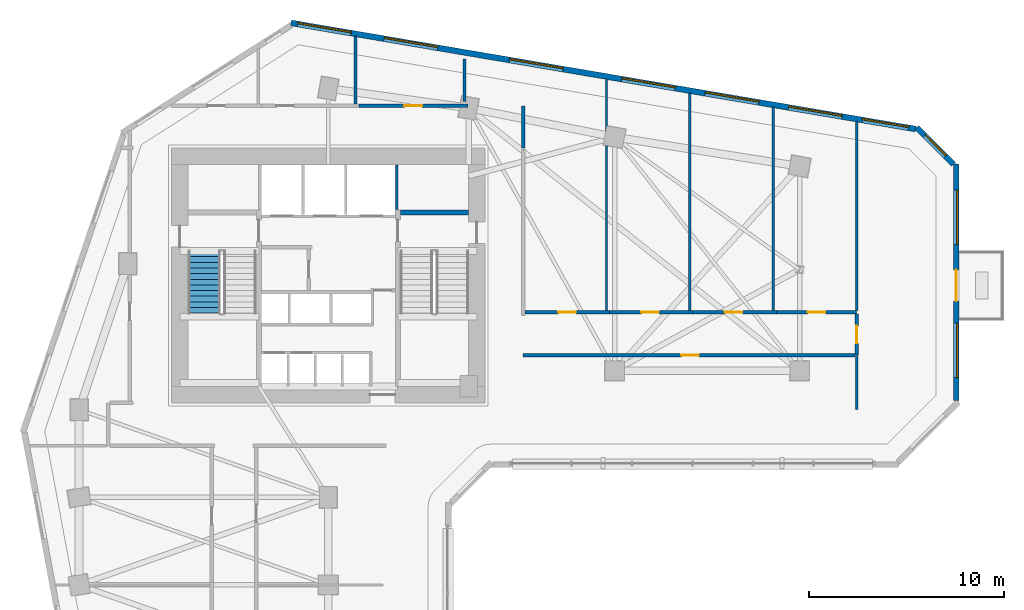
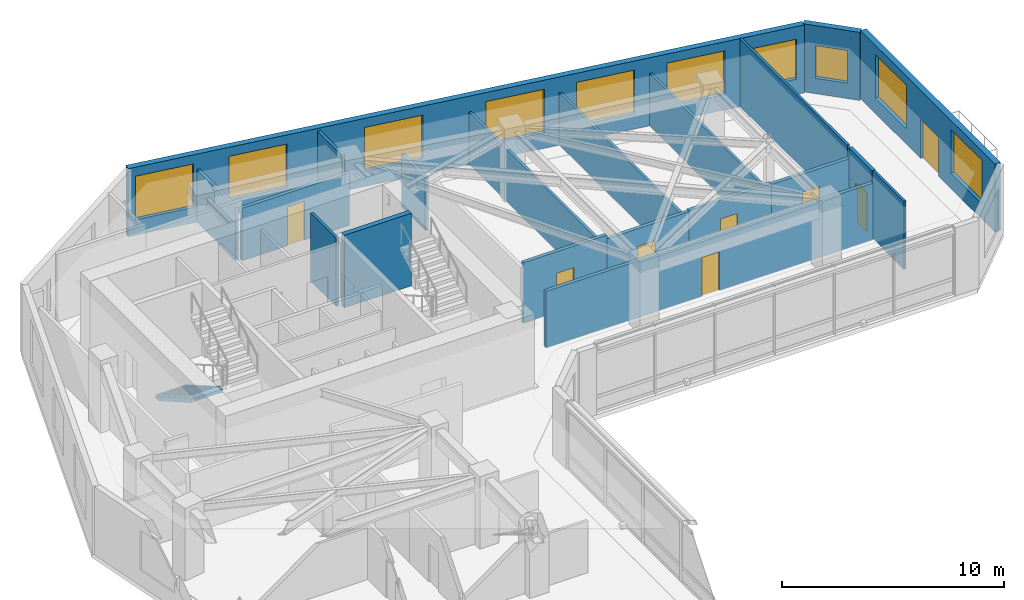
# One storey, part 7 of 11: 20 walls, 10 windows, 8 doors, 1 stair flight, 18 openings, 1 element without a shape of its own.
"""IFC4 building model written with IfcOpenShell, lengths in metres."""

from ifc_helpers import new_model, si_unit, direction, frame, frame_2d, origin, place, context, subcontext, project, spatial, polyline, rectangle, outline, extrude, source, transform, mapped, material, layer, layer_set, type_object, element, fill, aggregate, save


model = new_model("IFC4")

# Units and contexts
model_context = context("Model", 3, precision=1e-05, world=origin(), true_north=direction((0.0, 1.0)))
body_context = subcontext(model_context, "Body", "Model", "MODEL_VIEW")
ifc_project = project(units=[si_unit("LENGTHUNIT", "METRE"), si_unit("AREAUNIT", "SQUARE_METRE"), si_unit("VOLUMEUNIT", "CUBIC_METRE"), si_unit("PLANEANGLEUNIT", "RADIAN"), si_unit("MASSUNIT", "GRAM", prefix="KILO")], contexts=[model_context])

# Site, building, storey
site_placement = place(None, origin())
site = spatial("IfcSite", under=ifc_project, at=site_placement, CompositionType="ELEMENT")
building_placement = place(site_placement, origin())
building = spatial("IfcBuilding", under=site, at=building_placement, Name="Calvemar Wedge Station Tower", CompositionType="ELEMENT")
storey_placement = place(building_placement, frame((0.0, 0.0, 75.0)))
storey = spatial("IfcBuildingStorey", under=building, at=storey_placement, Name="L18", CompositionType="ELEMENT", Elevation=75.0)

# Wall
ifc_material_1 = material(Name="Concrete C50", Category="concrete")
ifc_layer_1 = layer(ifc_material_1, 0.260009765625)
ifc_layer_set_1 = layer_set([ifc_layer_1], Name="Concrete C50")
wall_type_1 = type_object("IfcWallType", Name="SW-CORE-260", PredefinedType="SHEAR", material=ifc_layer_set_1)
wall_1_placement = place(storey_placement, frame((27.5, 43.1298828125, 0.0), z_axis=(0.0, 0.0, 1.0), x_axis=(1.0, 0.0, 0.0)))
element("IfcWall", 1, at=wall_1_placement, inside=storey, type_object=wall_type_1, Name="Storey L18 Core Shear Wall STC2-N", PredefinedType="SHEAR", context=body_context, shape_type="SweptSolid", body=[
    extrude(rectangle(XDim=3.5, YDim=0.260009765625, at=frame_2d((1.75, 0.0))), origin(), (0.0, 0.0, 1.0), 4.0),
])

# Wall, opening, door
ifc_material_2 = material(Name="Double-stud fire-rated corridor partition")
ifc_layer_2 = layer(ifc_material_2, 0.179931640625)
ifc_layer_set_2 = layer_set([ifc_layer_2], Name="Double-stud fire-rated corridor partition")
wall_type_2 = type_object("IfcWallType", Name="W-CORR-180", PredefinedType="PARTITIONING", material=ifc_layer_set_2)
wall_2_placement = place(storey_placement, frame((25.362060546875, 48.60009765625, 0.0), z_axis=(0.0, 0.0, 1.0), x_axis=(1.0, 0.0, 0.0)))
wall_2 = element("IfcWall", 2, at=wall_2_placement, inside=storey, type_object=wall_type_2, Name="Storey L18 Interior Partition WL-L18-012", PredefinedType="PARTITIONING", context=body_context, shape_type="SweptSolid", body=[
    extrude(rectangle(XDim=5.597900390625, YDim=0.179931640625, at=frame_2d((2.798828125, 0.0))), origin(), (0.0, 0.0, 1.0), 2.89208984375),
])
shared_shape_1 = source(origin(), body_context, "Body", "SweptSolid", [
    extrude(rectangle(XDim=0.89990234375, YDim=2.14990234375, at=frame_2d((0.449951171875, 1.074951171875))), frame((0.0, 0.10009765625, 0.0), z_axis=(0.0, -1.0, 0.0), x_axis=(1.0, 0.0, 0.0)), (0.0, 0.0, 1.0), 0.199951171875),
])
opening_1_placement = place(wall_2_placement, frame((2.34912109375, 0.0, 0.0)))
opening_1 = element("IfcOpeningElement", 3, at=opening_1_placement, cuts=wall_2, Name="Opening D-01", PredefinedType="OPENING", context=body_context, shape_type="MappedRepresentation", body=[
    mapped(shared_shape_1, transform((0.0, 0.0, 0.0), scale=1.0)),
])
ifc_material_3 = material(Name="Architectural hardwood acoustic swing door", Category="wood")
door_type_1 = type_object("IfcDoorType", Name="DR-INT-900", OperationType="NOTDEFINED", PredefinedType="DOOR", material=ifc_material_3)
shared_shape_2 = source(origin(), body_context, "Body", "SweptSolid", [
    extrude(rectangle(XDim=0.89990234375, YDim=2.14990234375, at=frame_2d((0.449951171875, 1.074951171875))), frame((0.0, 0.02490234375, 0.0), z_axis=(0.0, -1.0, 0.0), x_axis=(1.0, 0.0, 0.0)), (0.0, 0.0, 1.0), 0.050048828125),
])
door_1_placement = place(opening_1_placement, origin())
door_1 = element("IfcDoor", 4, at=door_1_placement, inside=storey, type_object=door_type_1, Name="L18 Female Toilet Door", OperationType="SINGLE_SWING_LEFT", OverallHeight=2.14990234375, OverallWidth=0.89990234375, PredefinedType="DOOR", context=body_context, shape_type="MappedRepresentation", body=[
    mapped(shared_shape_2, transform((0.0, 0.0, 0.0), scale=1.0)),
])
fill(opening_1, door_1)

# Wall
wall_3_placement = place(storey_placement, frame((33.800048828125, 48.60009765625, 0.0), z_axis=(0.0, 0.0, 1.0), x_axis=(0.0, -1.0, 0.0)))
element("IfcWall", 5, at=wall_3_placement, inside=storey, type_object=wall_type_2, Name="Storey L18 Interior Partition WL-L18-013", PredefinedType="PARTITIONING", context=body_context, shape_type="SweptSolid", body=[
    extrude(rectangle(XDim=2.150146484375, YDim=0.179931640625, at=frame_2d((1.0751953125, 0.0))), origin(), (0.0, 0.0, 1.0), 2.89208984375),
])

# Wall, opening, door
wall_4_placement = place(storey_placement, frame((33.89404296875, 38.0, 0.0), z_axis=(0.0, 0.0, 1.0), x_axis=(1.0, 0.0, 0.0)))
wall_4 = element("IfcWall", 6, at=wall_4_placement, inside=storey, type_object=wall_type_2, Name="Storey L18 Interior Partition WL-L18-018", PredefinedType="PARTITIONING", context=body_context, shape_type="SweptSolid", body=[
    extrude(rectangle(XDim=4.349853515625, YDim=0.179931640625, at=frame_2d((2.1748046875, 0.0))), origin(), (0.0, 0.0, 1.0), 3.3349609375),
])
opening_2_placement = place(wall_4_placement, frame((1.72509765625, 0.0, 0.0)))
opening_2 = element("IfcOpeningElement", 7, at=opening_2_placement, cuts=wall_4, Name="Opening D-01", PredefinedType="OPENING", context=body_context, shape_type="MappedRepresentation", body=[
    mapped(shared_shape_1, transform((0.0, 0.0, 0.0), scale=1.0)),
])
door_2_placement = place(opening_2_placement, origin())
door_2 = element("IfcDoor", 8, at=door_2_placement, inside=storey, type_object=door_type_1, Name="L18 Co-Working Studio Door", OperationType="SINGLE_SWING_RIGHT", OverallHeight=2.14990234375, OverallWidth=0.89990234375, PredefinedType="DOOR", context=body_context, shape_type="MappedRepresentation", body=[
    mapped(shared_shape_2, transform((0.0, 0.0, 0.0), scale=1.0)),
])
fill(opening_2, door_2)

wall_5_placement = place(storey_placement, frame((38.24609375, 38.0, 0.0), z_axis=(0.0, 0.0, 1.0), x_axis=(1.0, 0.0, 0.0)))
wall_5 = element("IfcWall", 9, at=wall_5_placement, inside=storey, type_object=wall_type_2, Name="Storey L18 Interior Partition WL-L18-019", PredefinedType="PARTITIONING", context=body_context, shape_type="SweptSolid", body=[
    extrude(rectangle(XDim=4.281005859375, YDim=0.179931640625, at=frame_2d((2.140625, 0.0))), origin(), (0.0, 0.0, 1.0), 3.125),
])
opening_3_placement = place(wall_5_placement, frame((1.629150390625, 0.0, 0.0)))
opening_3 = element("IfcOpeningElement", 10, at=opening_3_placement, cuts=wall_5, Name="Opening D-01", PredefinedType="OPENING", context=body_context, shape_type="MappedRepresentation", body=[
    mapped(shared_shape_1, transform((0.0, 0.0, 0.0), scale=1.0)),
])
door_3_placement = place(opening_3_placement, origin())
door_3 = element("IfcDoor", 11, at=door_3_placement, inside=storey, type_object=door_type_1, Name="L18 Co-Working Studio Door", OperationType="SINGLE_SWING_LEFT", OverallHeight=2.14990234375, OverallWidth=0.89990234375, PredefinedType="DOOR", context=body_context, shape_type="MappedRepresentation", body=[
    mapped(shared_shape_2, transform((0.0, 0.0, 0.0), scale=1.0)),
])
fill(opening_3, door_3)

wall_6_placement = place(storey_placement, frame((42.529052734375, 38.0, 0.0), z_axis=(0.0, 0.0, 1.0), x_axis=(1.0, 0.0, 0.0)))
wall_6 = element("IfcWall", 12, at=wall_6_placement, inside=storey, type_object=wall_type_2, Name="Storey L18 Interior Partition WL-L18-020", PredefinedType="PARTITIONING", context=body_context, shape_type="SweptSolid", body=[
    extrude(rectangle(XDim=4.281982421875, YDim=0.179931640625, at=frame_2d((2.14111328125, 0.0))), origin(), (0.0, 0.0, 1.0), 3.18798828125),
])
opening_4_placement = place(wall_6_placement, frame((1.629638671875, 0.0, 0.0)))
opening_4 = element("IfcOpeningElement", 13, at=opening_4_placement, cuts=wall_6, Name="Opening D-01", PredefinedType="OPENING", context=body_context, shape_type="MappedRepresentation", body=[
    mapped(shared_shape_1, transform((0.0, 0.0, 0.0), scale=1.0)),
])
door_4_placement = place(opening_4_placement, origin())
door_4 = element("IfcDoor", 14, at=door_4_placement, inside=storey, type_object=door_type_1, Name="L18 Co-Working Studio Door", OperationType="SINGLE_SWING_RIGHT", OverallHeight=2.14990234375, OverallWidth=0.89990234375, PredefinedType="DOOR", context=body_context, shape_type="MappedRepresentation", body=[
    mapped(shared_shape_2, transform((0.0, 0.0, 0.0), scale=1.0)),
])
fill(opening_4, door_4)

wall_7_placement = place(storey_placement, frame((46.81298828125, 38.0, 0.0), z_axis=(0.0, 0.0, 1.0), x_axis=(1.0, 0.0, 0.0)))
wall_7 = element("IfcWall", 15, at=wall_7_placement, inside=storey, type_object=wall_type_2, Name="Storey L18 Interior Partition WL-L18-021", PredefinedType="PARTITIONING", context=body_context, shape_type="SweptSolid", body=[
    extrude(rectangle(XDim=4.1220703125, YDim=0.179931640625, at=frame_2d((2.06103515625, 0.0))), origin(), (0.0, 0.0, 1.0), 3.125),
])
opening_5_placement = place(wall_7_placement, frame((1.611083984375, 0.0, 0.0)))
opening_5 = element("IfcOpeningElement", 16, at=opening_5_placement, cuts=wall_7, Name="Opening D-01", PredefinedType="OPENING", context=body_context, shape_type="MappedRepresentation", body=[
    mapped(shared_shape_1, transform((0.0, 0.0, 0.0), scale=1.0)),
])
door_5_placement = place(opening_5_placement, origin())
door_5 = element("IfcDoor", 17, at=door_5_placement, inside=storey, type_object=door_type_1, Name="L18 Meeting Room Door", OperationType="SINGLE_SWING_LEFT", OverallHeight=2.14990234375, OverallWidth=0.89990234375, PredefinedType="DOOR", context=body_context, shape_type="MappedRepresentation", body=[
    mapped(shared_shape_2, transform((0.0, 0.0, 0.0), scale=1.0)),
])
fill(opening_5, door_5)

wall_8_placement = place(storey_placement, frame((50.93505859375, 37.906005859375, 0.0), z_axis=(0.0, 0.0, 1.0), x_axis=(0.0, -1.0, 0.0)))
wall_8 = element("IfcWall", 18, at=wall_8_placement, inside=storey, type_object=wall_type_2, Name="Storey L18 Interior Partition WL-L18-022", PredefinedType="PARTITIONING", context=body_context, shape_type="SweptSolid", body=[
    extrude(rectangle(XDim=2.10595703125, YDim=0.179931640625, at=frame_2d((1.052978515625, 0.0))), origin(), (0.0, 0.0, 1.0), 3.75),
])
opening_6_placement = place(wall_8_placement, frame((0.60302734375, 0.0, 0.0)))
opening_6 = element("IfcOpeningElement", 19, at=opening_6_placement, cuts=wall_8, Name="Opening D-01", PredefinedType="OPENING", context=body_context, shape_type="MappedRepresentation", body=[
    mapped(shared_shape_1, transform((0.0, 0.0, 0.0), scale=1.0)),
])
door_6_placement = place(opening_6_placement, origin())
door_6 = element("IfcDoor", 20, at=door_6_placement, inside=storey, type_object=door_type_1, Name="L18 Training Room Door", OperationType="SINGLE_SWING_RIGHT", OverallHeight=2.14990234375, OverallWidth=0.89990234375, PredefinedType="DOOR", context=body_context, shape_type="MappedRepresentation", body=[
    mapped(shared_shape_2, transform((0.0, 0.0, 0.0), scale=1.0)),
])
fill(opening_6, door_6)

wall_9_placement = place(storey_placement, frame((50.841064453125, 35.800048828125, 0.0), z_axis=(0.0, 0.0, 1.0), x_axis=(-1.0, 0.0, 0.0)))
wall_9 = element("IfcWall", 21, at=wall_9_placement, inside=storey, type_object=wall_type_2, Name="Storey L18 Interior Partition WL-L18-023", PredefinedType="PARTITIONING", context=body_context, shape_type="SweptSolid", body=[
    extrude(rectangle(XDim=17.041015625, YDim=0.179931640625, at=frame_2d((8.5205078125, 0.0))), origin(), (0.0, 0.0, 1.0), 3.125),
])
opening_7_placement = place(wall_9_placement, frame((8.010009765625, 0.0, 0.0)))
opening_7 = element("IfcOpeningElement", 22, at=opening_7_placement, cuts=wall_9, Name="Opening D-01", PredefinedType="OPENING", context=body_context, shape_type="MappedRepresentation", body=[
    mapped(shared_shape_1, transform((0.0, 0.0, 0.0), scale=1.0)),
])
door_7_placement = place(opening_7_placement, origin())
door_7 = element("IfcDoor", 23, at=door_7_placement, inside=storey, type_object=door_type_1, Name="L18 Meeting Room Door", OperationType="SINGLE_SWING_LEFT", OverallHeight=2.14990234375, OverallWidth=0.89990234375, PredefinedType="DOOR", context=body_context, shape_type="MappedRepresentation", body=[
    mapped(shared_shape_2, transform((0.0, 0.0, 0.0), scale=1.0)),
])
fill(opening_7, door_7)

# Wall, openings, windows, door
ifc_material_4 = material(Name="Precast concrete C45", Category="concrete")
ifc_layer_3 = layer(ifc_material_4, 0.300048828125)
ifc_layer_set_3 = layer_set([ifc_layer_3], Name="Precast concrete C45")
wall_type_3 = type_object("IfcWallType", Name="W-EXT-GFRC-300", PredefinedType="SOLIDWALL", material=ifc_layer_set_3)
wall_10_placement = place(storey_placement, frame((56.050048828125, 33.4853515625, 0.0), z_axis=(0.0, 0.0, 1.0), x_axis=(0.0, 1.0, 0.0)))
wall_10 = element("IfcWall", 24, at=wall_10_placement, inside=storey, type_object=wall_type_3, Name="Storey L18 Bronze GFRC Exterior Wall 8", PredefinedType="SOLIDWALL", context=body_context, shape_type="SweptSolid", body=[
    extrude(rectangle(XDim=12.130615234375, YDim=0.300048828125, at=frame_2d((6.0654296875, 0.0))), origin(), (0.0, 0.0, 1.0), 3.75),
])
shared_shape_3 = source(origin(), body_context, "Body", "SweptSolid", [
    extrude(rectangle(XDim=1.60009765625, YDim=2.14990234375, at=frame_2d((0.800048828125, 1.074951171875))), frame((0.0, 0.16015625, 0.0), z_axis=(0.0, -1.0, 0.0), x_axis=(1.0, 0.0, 0.0)), (0.0, 0.0, 1.0), 0.320068359375),
])
opening_8_placement = place(wall_10_placement, frame((5.093017578125, 0.0, 0.0)))
opening_8 = element("IfcOpeningElement", 25, at=opening_8_placement, cuts=wall_10, Name="Opening DT1", PredefinedType="OPENING", context=body_context, shape_type="MappedRepresentation", body=[
    mapped(shared_shape_3, transform((0.0, 0.0, 0.0), scale=1.0)),
])
shared_shape_4 = source(origin(), body_context, "Body", "SweptSolid", [
    extrude(rectangle(XDim=2.800048828125, YDim=2.39990234375, at=frame_2d((1.39990234375, 1.199951171875))), frame((0.0, 0.16015625, 0.0), z_axis=(0.0, -1.0, 0.0), x_axis=(1.0, 0.0, 0.0)), (0.0, 0.0, 1.0), 0.320068359375),
])
opening_9_placement = place(wall_10_placement, frame((1.1669921875, 0.0, 0.85009765625)))
opening_9 = element("IfcOpeningElement", 26, at=opening_9_placement, cuts=wall_10, Name="Opening W6", PredefinedType="OPENING", context=body_context, shape_type="MappedRepresentation", body=[
    mapped(shared_shape_4, transform((0.0, 0.0, 0.0), scale=1.0)),
])
opening_10_placement = place(wall_10_placement, frame((7.991943359375, 0.0, 0.85009765625)))
opening_10 = element("IfcOpeningElement", 27, at=opening_10_placement, cuts=wall_10, Name="Opening W6", PredefinedType="OPENING", context=body_context, shape_type="MappedRepresentation", body=[
    mapped(shared_shape_4, transform((0.0, 0.0, 0.0), scale=1.0)),
])
ifc_material_5 = material(Name="Low-E laminated insulated glass", Category="glass")
window_type_1 = type_object("IfcWindowType", Name="WIN-EXT-6", PartitioningType="SINGLE_PANEL", PredefinedType="WINDOW", material=ifc_material_5)
shared_shape_5 = source(origin(), body_context, "Body", "SweptSolid", [
    extrude(rectangle(XDim=2.800048828125, YDim=2.39990234375, at=frame_2d((1.39990234375, 1.199951171875))), frame((0.0, -0.014892578125, 0.0), z_axis=(0.0, -1.0, 0.0), x_axis=(1.0, 0.0, 0.0)), (0.0, 0.0, 1.0), 0.06005859375),
])
window_1_placement = place(opening_9_placement, origin())
window_1 = element("IfcWindow", 28, at=window_1_placement, inside=storey, type_object=window_type_1, Name="Storey L18 Recessed Window 8.1", OverallHeight=2.39990234375, OverallWidth=2.800048828125, PartitioningType="SINGLE_PANEL", PredefinedType="WINDOW", context=body_context, shape_type="MappedRepresentation", body=[
    mapped(shared_shape_5, transform((0.0, 0.0, 0.0), scale=1.0)),
])
fill(opening_9, window_1)
window_2_placement = place(opening_10_placement, origin())
window_2 = element("IfcWindow", 29, at=window_2_placement, inside=storey, type_object=window_type_1, Name="Storey L18 Recessed Window 8.2", OverallHeight=2.39990234375, OverallWidth=2.800048828125, PartitioningType="SINGLE_PANEL", PredefinedType="WINDOW", context=body_context, shape_type="MappedRepresentation", body=[
    mapped(shared_shape_5, transform((0.0, 0.0, 0.0), scale=1.0)),
])
fill(opening_10, window_2)
ifc_material_6 = material(Name="Anodised aluminium 6063-T6", Category="aluminium")
door_type_2 = type_object("IfcDoorType", Name="DR-TERR-1600", OperationType="DOUBLE_DOOR_SLIDING", PredefinedType="DOOR", material=ifc_material_6)
shared_shape_6 = source(origin(), body_context, "Body", "SweptSolid", [
    extrude(rectangle(XDim=1.60009765625, YDim=2.14990234375, at=frame_2d((0.800048828125, 1.074951171875))), frame((0.0, 0.02490234375, 0.0), z_axis=(0.0, -1.0, 0.0), x_axis=(1.0, 0.0, 0.0)), (0.0, 0.0, 1.0), 0.050048828125),
])
door_8_placement = place(opening_8_placement, origin())
door_8 = element("IfcDoor", 30, at=door_8_placement, inside=storey, type_object=door_type_2, Name="Storey L18 Spiral Terrace Door", OperationType="DOUBLE_DOOR_SLIDING", OverallHeight=2.14990234375, OverallWidth=1.60009765625, PredefinedType="DOOR", context=body_context, shape_type="MappedRepresentation", body=[
    mapped(shared_shape_6, transform((0.0, 0.0, 0.0), scale=1.0)),
])
fill(opening_8, door_8)

# Wall, opening, window
wall_11_placement = place(storey_placement, frame((55.912109375, 45.60400390625, 0.0), z_axis=(0.0, 0.0, 1.0), x_axis=(-0.707152443695, 0.707061115729, 0.0)))
wall_11 = element("IfcWall", 31, at=wall_11_placement, inside=storey, type_object=wall_type_3, Name="Storey L18 Bronze GFRC Exterior Wall 9", PredefinedType="SOLIDWALL", context=body_context, shape_type="SweptSolid", body=[
    extrude(rectangle(XDim=2.67333984375, YDim=0.300048828125, at=frame_2d((1.336669921875, 0.0))), origin(), (0.0, 0.0, 1.0), 3.75),
])
shared_shape_7 = source(origin(), body_context, "Body", "SweptSolid", [
    extrude(rectangle(XDim=1.5, YDim=1.800048828125, at=frame_2d((0.75, 0.89990234375))), frame((0.0, 0.16015625, 0.0), z_axis=(0.0, -1.0, 0.0), x_axis=(1.0, 0.0, 0.0)), (0.0, 0.0, 1.0), 0.320068359375),
])
opening_11_placement = place(wall_11_placement, frame((0.5869140625, 0.0, 0.85009765625)))
opening_11 = element("IfcOpeningElement", 32, at=opening_11_placement, cuts=wall_11, Name="Opening W3", PredefinedType="OPENING", context=body_context, shape_type="MappedRepresentation", body=[
    mapped(shared_shape_7, transform((0.0, 0.0, 0.0), scale=1.0)),
])
window_type_2 = type_object("IfcWindowType", Name="WIN-EXT-3", PartitioningType="SINGLE_PANEL", PredefinedType="WINDOW", material=ifc_material_5)
shared_shape_8 = source(origin(), body_context, "Body", "SweptSolid", [
    extrude(rectangle(XDim=1.5, YDim=1.800048828125, at=frame_2d((0.75, 0.89990234375))), frame((0.0, -0.014892578125, 0.0), z_axis=(0.0, -1.0, 0.0), x_axis=(1.0, 0.0, 0.0)), (0.0, 0.0, 1.0), 0.06005859375),
])
window_3_placement = place(opening_11_placement, origin())
window_3 = element("IfcWindow", 33, at=window_3_placement, inside=storey, type_object=window_type_2, Name="Storey L18 Recessed Window 9.1", OverallHeight=1.800048828125, OverallWidth=1.5, PartitioningType="SINGLE_PANEL", PredefinedType="WINDOW", context=body_context, shape_type="MappedRepresentation", body=[
    mapped(shared_shape_8, transform((0.0, 0.0, 0.0), scale=1.0)),
])
fill(opening_11, window_3)

# Wall, openings, windows
wall_12_placement = place(storey_placement, frame((53.9609375, 47.41650390625, 0.0), z_axis=(0.0, 0.0, 1.0), x_axis=(-0.985865713455, 0.167537443678, 0.0)))
wall_12 = element("IfcWall", 34, at=wall_12_placement, inside=storey, type_object=wall_type_3, Name="Storey L18 Bronze GFRC Exterior Wall 10", PredefinedType="SOLIDWALL", context=body_context, shape_type="SweptSolid", body=[
    extrude(rectangle(XDim=32.537109375, YDim=0.300048828125, at=frame_2d((16.2685546875, 0.0))), origin(), (0.0, 0.0, 1.0), 3.75),
])
shared_shape_9 = source(origin(), body_context, "Body", "SweptSolid", [
    extrude(rectangle(XDim=2.39990234375, YDim=2.199951171875, at=frame_2d((1.199951171875, 1.10009765625))), frame((0.0, 0.16015625, 0.0), z_axis=(0.0, -1.0, 0.0), x_axis=(1.0, 0.0, 0.0)), (0.0, 0.0, 1.0), 0.320068359375),
])
opening_12_placement = place(wall_12_placement, frame((0.375, 0.0, 0.85009765625)))
opening_12 = element("IfcOpeningElement", 35, at=opening_12_placement, cuts=wall_12, Name="Opening W1", PredefinedType="OPENING", context=body_context, shape_type="MappedRepresentation", body=[
    mapped(shared_shape_9, transform((0.0, 0.0, 0.0), scale=1.0)),
])
opening_13_placement = place(wall_12_placement, frame((3.822021484375, 0.0, 0.85009765625)))
opening_13 = element("IfcOpeningElement", 36, at=opening_13_placement, cuts=wall_12, Name="Opening W6", PredefinedType="OPENING", context=body_context, shape_type="MappedRepresentation", body=[
    mapped(shared_shape_4, transform((0.0, 0.0, 0.0), scale=1.0)),
])
opening_14_placement = place(wall_12_placement, frame((8.16796875, 0.0, 0.85009765625)))
opening_14 = element("IfcOpeningElement", 37, at=opening_14_placement, cuts=wall_12, Name="Opening W6", PredefinedType="OPENING", context=body_context, shape_type="MappedRepresentation", body=[
    mapped(shared_shape_4, transform((0.0, 0.0, 0.0), scale=1.0)),
])
opening_15_placement = place(wall_12_placement, frame((12.512939453125, 0.0, 0.85009765625)))
opening_15 = element("IfcOpeningElement", 38, at=opening_15_placement, cuts=wall_12, Name="Opening W6", PredefinedType="OPENING", context=body_context, shape_type="MappedRepresentation", body=[
    mapped(shared_shape_4, transform((0.0, 0.0, 0.0), scale=1.0)),
])
opening_16_placement = place(wall_12_placement, frame((18.360107421875, 0.0, 0.85009765625)))
opening_16 = element("IfcOpeningElement", 39, at=opening_16_placement, cuts=wall_12, Name="Opening W6", PredefinedType="OPENING", context=body_context, shape_type="MappedRepresentation", body=[
    mapped(shared_shape_4, transform((0.0, 0.0, 0.0), scale=1.0)),
])
opening_17_placement = place(wall_12_placement, frame((24.89501953125, 0.0, 0.85009765625)))
opening_17 = element("IfcOpeningElement", 40, at=opening_17_placement, cuts=wall_12, Name="Opening W6", PredefinedType="OPENING", context=body_context, shape_type="MappedRepresentation", body=[
    mapped(shared_shape_4, transform((0.0, 0.0, 0.0), scale=1.0)),
])
opening_18_placement = place(wall_12_placement, frame((29.39501953125, 0.0, 0.85009765625)))
opening_18 = element("IfcOpeningElement", 41, at=opening_18_placement, cuts=wall_12, Name="Opening W6", PredefinedType="OPENING", context=body_context, shape_type="MappedRepresentation", body=[
    mapped(shared_shape_4, transform((0.0, 0.0, 0.0), scale=1.0)),
])
window_4_placement = place(opening_13_placement, origin())
window_4 = element("IfcWindow", 42, at=window_4_placement, inside=storey, type_object=window_type_1, Name="Storey L18 Recessed Window 10.2", OverallHeight=2.39990234375, OverallWidth=2.800048828125, PartitioningType="SINGLE_PANEL", PredefinedType="WINDOW", context=body_context, shape_type="MappedRepresentation", body=[
    mapped(shared_shape_5, transform((0.0, 0.0, 0.0), scale=1.0)),
])
fill(opening_13, window_4)
window_5_placement = place(opening_14_placement, origin())
window_5 = element("IfcWindow", 43, at=window_5_placement, inside=storey, type_object=window_type_1, Name="Storey L18 Recessed Window 10.3", OverallHeight=2.39990234375, OverallWidth=2.800048828125, PartitioningType="SINGLE_PANEL", PredefinedType="WINDOW", context=body_context, shape_type="MappedRepresentation", body=[
    mapped(shared_shape_5, transform((0.0, 0.0, 0.0), scale=1.0)),
])
fill(opening_14, window_5)
window_6_placement = place(opening_15_placement, origin())
window_6 = element("IfcWindow", 44, at=window_6_placement, inside=storey, type_object=window_type_1, Name="Storey L18 Recessed Window 10.4", OverallHeight=2.39990234375, OverallWidth=2.800048828125, PartitioningType="SINGLE_PANEL", PredefinedType="WINDOW", context=body_context, shape_type="MappedRepresentation", body=[
    mapped(shared_shape_5, transform((0.0, 0.0, 0.0), scale=1.0)),
])
fill(opening_15, window_6)
window_7_placement = place(opening_16_placement, origin())
window_7 = element("IfcWindow", 45, at=window_7_placement, inside=storey, type_object=window_type_1, Name="Storey L18 Recessed Window 10.5", OverallHeight=2.39990234375, OverallWidth=2.800048828125, PartitioningType="SINGLE_PANEL", PredefinedType="WINDOW", context=body_context, shape_type="MappedRepresentation", body=[
    mapped(shared_shape_5, transform((0.0, 0.0, 0.0), scale=1.0)),
])
fill(opening_16, window_7)
window_8_placement = place(opening_17_placement, origin())
window_8 = element("IfcWindow", 46, at=window_8_placement, inside=storey, type_object=window_type_1, Name="Storey L18 Recessed Window 10.6", OverallHeight=2.39990234375, OverallWidth=2.800048828125, PartitioningType="SINGLE_PANEL", PredefinedType="WINDOW", context=body_context, shape_type="MappedRepresentation", body=[
    mapped(shared_shape_5, transform((0.0, 0.0, 0.0), scale=1.0)),
])
fill(opening_17, window_8)
window_9_placement = place(opening_18_placement, origin())
window_9 = element("IfcWindow", 47, at=window_9_placement, inside=storey, type_object=window_type_1, Name="Storey L18 Recessed Window 10.7", OverallHeight=2.39990234375, OverallWidth=2.800048828125, PartitioningType="SINGLE_PANEL", PredefinedType="WINDOW", context=body_context, shape_type="MappedRepresentation", body=[
    mapped(shared_shape_5, transform((0.0, 0.0, 0.0), scale=1.0)),
])
fill(opening_18, window_9)
window_type_3 = type_object("IfcWindowType", Name="WIN-EXT-1", PartitioningType="SINGLE_PANEL", PredefinedType="WINDOW", material=ifc_material_5)
shared_shape_10 = source(origin(), body_context, "Body", "SweptSolid", [
    extrude(rectangle(XDim=2.39990234375, YDim=2.199951171875, at=frame_2d((1.199951171875, 1.10009765625))), frame((0.0, -0.014892578125, 0.0), z_axis=(0.0, -1.0, 0.0), x_axis=(1.0, 0.0, 0.0)), (0.0, 0.0, 1.0), 0.06005859375),
])
window_10_placement = place(opening_12_placement, origin())
window_10 = element("IfcWindow", 48, at=window_10_placement, inside=storey, type_object=window_type_3, Name="Storey L18 Recessed Window 10.1", OverallHeight=2.199951171875, OverallWidth=2.39990234375, PartitioningType="SINGLE_PANEL", PredefinedType="WINDOW", context=body_context, shape_type="MappedRepresentation", body=[
    mapped(shared_shape_10, transform((0.0, 0.0, 0.0), scale=1.0)),
])
fill(opening_12, window_10)

# Walls
ifc_material_7 = material(Name="Reinforced concrete blockwork lift shaft wall", Category="masonry")
ifc_layer_4 = layer(ifc_material_7, 0.139892578125)
ifc_layer_set_4 = layer_set([ifc_layer_4], Name="Reinforced concrete blockwork lift shaft wall")
wall_type_4 = type_object("IfcWallType", Name="W-LIFT-160", PredefinedType="SOLIDWALL", material=ifc_layer_set_4)
wall_13_placement = place(storey_placement, frame((27.31005859375, 43.280029296875, 0.0), z_axis=(0.0, 0.0, 1.0), x_axis=(0.0, 1.0, 0.0)))
element("IfcWall", 49, at=wall_13_placement, inside=storey, type_object=wall_type_4, Name="Storey L18 Firefighting Lift Shaft Enclosure Wall E", PredefinedType="SOLIDWALL", context=body_context, shape_type="SweptSolid", body=[
    extrude(rectangle(XDim=2.300048828125, YDim=0.139892578125, at=frame_2d((1.14990234375, 0.0))), origin(), (0.0, 0.0, 1.0), 3.75),
])
ifc_material_8 = material(Name="Insulated acoustic gypsum stud partition")
ifc_layer_5 = layer(ifc_material_8, 0.125)
ifc_layer_set_5 = layer_set([ifc_layer_5], Name="Insulated acoustic gypsum stud partition")
wall_type_5 = type_object("IfcWallType", Name="W-PART-125", PredefinedType="PARTITIONING", material=ifc_layer_set_5)
wall_14_placement = place(storey_placement, frame((38.083984375, 49.997802734375, 0.0), z_axis=(0.0, 0.0, 1.0), x_axis=(0.0, -1.0, 0.0)))
element("IfcWall", 50, at=wall_14_placement, inside=storey, type_object=wall_type_5, Name="Storey L18 Interior Partition WL-L18-024", PredefinedType="PARTITIONING", context=body_context, shape_type="SweptSolid", body=[
    extrude(rectangle(XDim=11.90380859375, YDim=0.125, at=frame_2d((5.951904296875, 0.0))), origin(), (0.0, 0.0, 1.0), 2.89208984375),
])
wall_15_placement = place(storey_placement, frame((42.366943359375, 49.27001953125, 0.0), z_axis=(0.0, 0.0, 1.0), x_axis=(0.0, -1.0, 0.0)))
element("IfcWall", 51, at=wall_15_placement, inside=storey, type_object=wall_type_5, Name="Storey L18 Interior Partition WL-L18-025", PredefinedType="PARTITIONING", context=body_context, shape_type="SweptSolid", body=[
    extrude(rectangle(XDim=11.176025390625, YDim=0.125, at=frame_2d((5.587890625, 0.0))), origin(), (0.0, 0.0, 1.0), 2.89208984375),
])
wall_16_placement = place(storey_placement, frame((46.65087890625, 48.5419921875, 0.0), z_axis=(0.0, 0.0, 1.0), x_axis=(0.0, -1.0, 0.0)))
element("IfcWall", 52, at=wall_16_placement, inside=storey, type_object=wall_type_5, Name="Storey L18 Interior Partition WL-L18-026", PredefinedType="PARTITIONING", context=body_context, shape_type="SweptSolid", body=[
    extrude(rectangle(XDim=10.447998046875, YDim=0.125, at=frame_2d((5.22412109375, 0.0))), origin(), (0.0, 0.0, 1.0), 2.89208984375),
])
wall_17_placement = place(storey_placement, frame((50.93505859375, 47.81396484375, 0.0), z_axis=(0.0, 0.0, 1.0), x_axis=(0.0, -1.0, 0.0)))
element("IfcWall", 53, at=wall_17_placement, inside=storey, type_object=wall_type_5, Name="Storey L18 Interior Partition WL-L18-027", PredefinedType="PARTITIONING", context=body_context, shape_type="SweptSolid", body=[
    extrude(rectangle(XDim=9.719970703125, YDim=0.125, at=frame_2d((4.85986328125, 0.0))), origin(), (0.0, 0.0, 1.0), 3.75),
])
wall_18_placement = place(storey_placement, frame((50.93505859375, 33.0, 0.0), z_axis=(0.0, 0.0, 1.0), x_axis=(0.0, 1.0, 0.0)))
element("IfcWall", 54, at=wall_18_placement, inside=storey, type_object=wall_type_5, Name="Storey L18 Interior Partition WL-L18-028", PredefinedType="PARTITIONING", context=body_context, shape_type="SweptSolid", body=[
    extrude(rectangle(XDim=2.798095703125, YDim=0.125, at=frame_2d((1.39892578125, 0.0))), origin(), (0.0, 0.0, 1.0), 3.75),
])
ifc_material_9 = material(Name="Moisture-resistant acoustic bathroom partition")
ifc_layer_6 = layer(ifc_material_9, 0.14990234375)
ifc_layer_set_6 = layer_set([ifc_layer_6], Name="Moisture-resistant acoustic bathroom partition")
wall_type_6 = type_object("IfcWallType", Name="W-WET-150", PredefinedType="PARTITIONING", material=ifc_layer_set_6)
wall_19_placement = place(storey_placement, frame((25.199951171875, 52.1875, 0.0), z_axis=(0.0, 0.0, 1.0), x_axis=(0.0, -1.0, 0.0)))
element("IfcWall", 55, at=wall_19_placement, inside=storey, type_object=wall_type_6, Name="Storey L18 Interior Partition WL-L18-017", PredefinedType="PARTITIONING", context=body_context, shape_type="SweptSolid", body=[
    extrude(rectangle(XDim=3.493408203125, YDim=0.14990234375, at=frame_2d((1.74658203125, 0.0))), origin(), (0.0, 0.0, 1.0), 2.89208984375),
])
wall_20_placement = place(storey_placement, frame((30.800048828125, 51.0126953125, 0.0), z_axis=(0.0, 0.0, 1.0), x_axis=(0.0, -1.0, 0.0)))
element("IfcWall", 56, at=wall_20_placement, inside=storey, type_object=wall_type_6, Name="Storey L18 Bathroom Enclosure Wall WL-L18-044", PredefinedType="PARTITIONING", context=body_context, shape_type="SweptSolid", body=[
    extrude(rectangle(XDim=2.192626953125, YDim=0.14990234375, at=frame_2d((1.09619140625, 0.0))), origin(), (0.0, 0.0, 1.0), 3.75),
])

# Stair, stair flight
ifc_material_10 = material(Name="Concrete C45", Category="concrete")
stair_type = type_object("IfcStairType", Name="ST-TYPE-4000", PredefinedType="HALF_TURN_STAIR", material=ifc_material_10)
stair_placement = place(storey_placement, origin())
stair = element("IfcStair", 57, at=stair_placement, inside=storey, type_object=stair_type, Name="L18 Pressurized Core Exit Stair ST-C1", PredefinedType="HALF_TURN_STAIR")
stair_flight_type = type_object("IfcStairFlightType", Name="STF-TYPE-4000", PredefinedType="STRAIGHT", material=ifc_material_10)
stair_flight_placement = place(storey_placement, frame((17.429931640625, 41.14990234375, 0.0), z_axis=(0.0, 0.0, 1.0), x_axis=(0.0, -1.0, 0.0)))
stair_flight = element("IfcStairFlight", 58, at=stair_flight_placement, type_object=stair_flight_type, Name="ST-C1 flight 1", NumberOfRisers=12, NumberOfTreads=11, PredefinedType="STRAIGHT", RiserHeight=0.166666667, TreadLength=0.29, context=body_context, shape_type="SweptSolid", body=[
    extrude(outline(polyline([(0.0, 0.0), (0.0, 0.166748046875), (0.2900390625, 0.166748046875), (0.2900390625, 0.333251953125), (0.580078125, 0.333251953125), (0.580078125, 0.5), (0.8701171875, 0.5), (0.8701171875, 0.666748046875), (1.159912109375, 0.666748046875), (1.159912109375, 0.833251953125), (1.449951171875, 0.833251953125), (1.449951171875, 1.0), (1.739990234375, 1.0), (1.739990234375, 1.166748046875), (2.030029296875, 1.166748046875), (2.030029296875, 1.333251953125), (2.320068359375, 1.333251953125), (2.320068359375, 1.5), (2.610107421875, 1.5), (2.610107421875, 1.666748046875), (2.89990234375, 1.666748046875), (2.89990234375, 1.833251953125), (3.18994140625, 1.833251953125), (3.18994140625, 2.0), (3.18994140625, 1.660400390625), (0.30078125, 0.0), (0.0, 0.0)])), frame((0.0, 0.830078125, 0.0), z_axis=(0.0, -1.0, 0.0), x_axis=(1.0, 0.0, 0.0)), (0.0, 0.0, 1.0), 1.659912109375),
])
aggregate(stair, [stair_flight])

save(model, "model.ifc")
